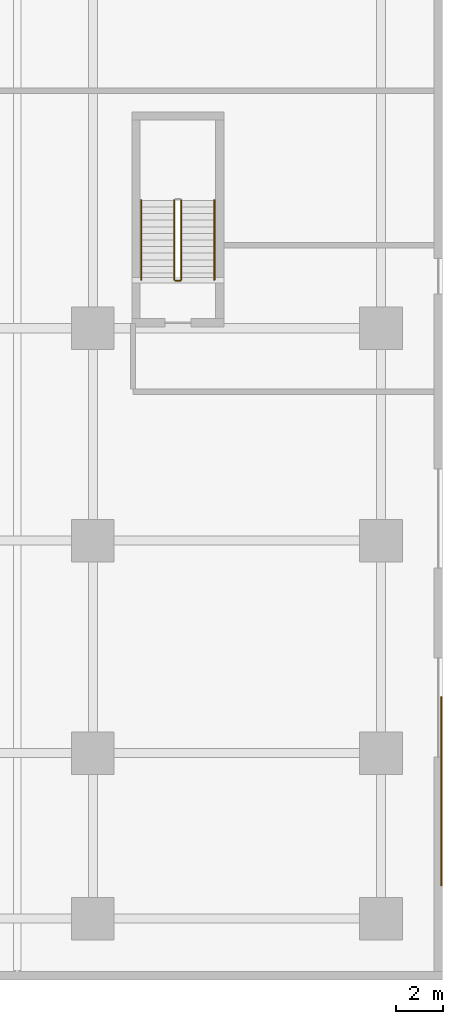
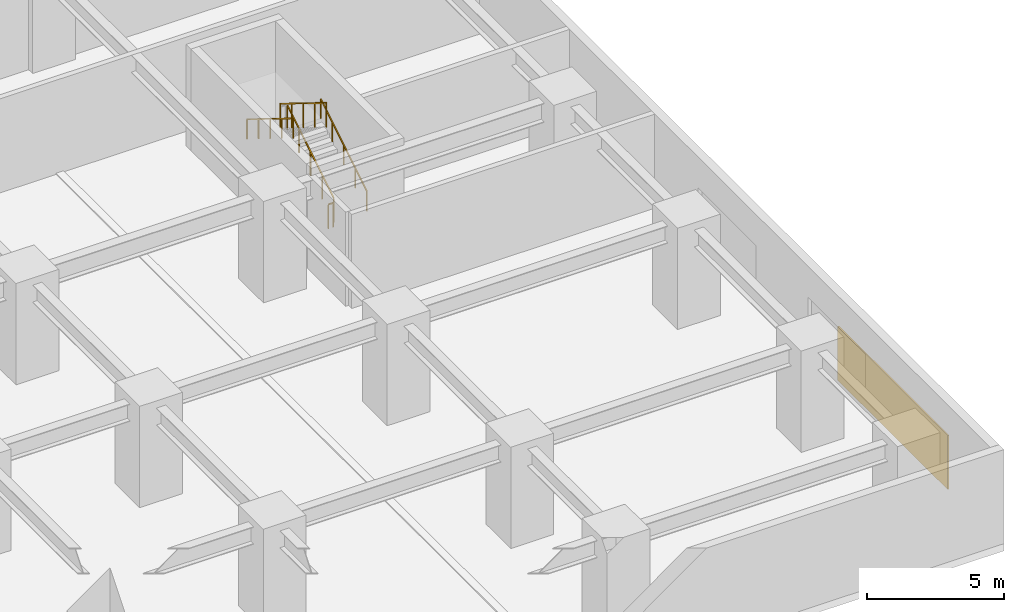
# One storey, part 23 of 26: 5 railings, 1 covering.
"""IFC4 building model written with IfcOpenShell, lengths in metres."""

from ifc_helpers import new_model, si_unit, direction, frame, origin, origin_2d, place, context, subcontext, project, spatial, polyline, rectangle, outline, extrude, material, layer, layer_set, type_object, element, save


model = new_model("IFC4")

# Units and contexts
model_context = context("Model", 3, precision=1e-05, world=origin(), true_north=direction((0.0, 1.0)))
body_context = subcontext(model_context, "Body", "Model", "MODEL_VIEW")
ifc_project = project(units=[si_unit("LENGTHUNIT", "METRE"), si_unit("AREAUNIT", "SQUARE_METRE"), si_unit("VOLUMEUNIT", "CUBIC_METRE"), si_unit("PLANEANGLEUNIT", "RADIAN"), si_unit("MASSUNIT", "GRAM", prefix="KILO")], contexts=[model_context])

# Site, building, storey
site_placement = place(None, origin())
site = spatial("IfcSite", under=ifc_project, at=site_placement, CompositionType="ELEMENT")
building_placement = place(site_placement, origin())
building = spatial("IfcBuilding", under=site, at=building_placement, Name="Kiyonajd Concourse Tower", CompositionType="ELEMENT")
storey_placement = place(building_placement, origin())
storey = spatial("IfcBuildingStorey", under=building, at=storey_placement, Name="L01", CompositionType="ELEMENT", Elevation=0.0)

# Covering
ifc_material_1 = material(Name="Riyadh Jubaila Limestone", Category="masonry")
ifc_layer = layer(ifc_material_1, 0.06005859375)
ifc_layer_set = layer_set([ifc_layer], Name="Riyadh Jubaila Limestone")
covering_type = type_object("IfcCoveringType", Name="CV-CLD-STONE", PredefinedType="CLADDING", material=ifc_layer_set)
covering_placement = place(storey_placement, origin())
element("IfcCovering", 1, at=covering_placement, inside=storey, type_object=covering_type, Name="L01 Riyadh Jubaila Limestone Pier Cladding 2", PredefinedType="CLADDING", context=body_context, shape_type="SweptSolid", body=[
    extrude(outline(polyline([(95.93994140625, 4.0), (96.0, 4.0), (96.0, 12.0), (95.93994140625, 12.0), (95.93994140625, 4.0)])), origin(), (0.0, 0.0, 1.0), 2.39990234375),
])

# Railings
ifc_material_2 = material(Name="Steel ASTM A500 Grade C", Category="steel")
railing_type_1 = type_object("IfcRailingType", Name="RL-GRD-STR", PredefinedType="GUARDRAIL", material=ifc_material_2)
railing_1_placement = place(storey_placement, frame((84.949951171875, 29.64990234375, 0.173095703125)))
element("IfcRailing", 2, at=railing_1_placement, inside=storey, type_object=railing_type_1, Name="L01 ST5 stair guard 1", PredefinedType="GUARDRAIL", context=body_context, shape_type="SweptSolid", body=[
    extrude(rectangle(XDim=0.048095703125, YDim=0.048095703125, at=origin_2d()), frame((0.0, 0.0, 1.076171875), z_axis=(0.0, 0.850623216509, 0.525775754039), x_axis=(-1.0, 0.0, 0.0)), (0.0, 0.0, 1.0), 3.9501953125),
    extrude(rectangle(XDim=0.0419921875, YDim=0.0419921875, at=origin_2d()), origin(), (0.0, 0.0, 1.0), 1.052001953125),
    extrude(rectangle(XDim=0.0419921875, YDim=0.0419921875, at=origin_2d()), frame((0.0, 0.840087890625, 0.519287109375)), (0.0, 0.0, 1.0), 1.052001953125),
    extrude(rectangle(XDim=0.0419921875, YDim=0.0419921875, at=origin_2d()), frame((0.0, 1.68017578125, 1.03857421875)), (0.0, 0.0, 1.0), 1.052001953125),
    extrude(rectangle(XDim=0.0419921875, YDim=0.0419921875, at=origin_2d()), frame((0.0, 2.52001953125, 1.5576171875)), (0.0, 0.0, 1.0), 1.052001953125),
    extrude(rectangle(XDim=0.0419921875, YDim=0.0419921875, at=origin_2d()), frame((0.0, 3.360107421875, 2.076904296875)), (0.0, 0.0, 1.0), 1.052001953125),
])
railing_2_placement = place(storey_placement, frame((84.64990234375, 33.010009765625, 2.423095703125)))
element("IfcRailing", 3, at=railing_2_placement, inside=storey, type_object=railing_type_1, Name="L01 ST5 stair guard 3", PredefinedType="GUARDRAIL", context=body_context, shape_type="SweptSolid", body=[
    extrude(rectangle(XDim=0.048095703125, YDim=0.048095703125, at=origin_2d()), frame((0.0, 0.0, 1.076171875), z_axis=(0.0, -0.850623216509, 0.525775754039), x_axis=(1.0, 0.0, 0.0)), (0.0, 0.0, 1.0), 3.9501953125),
    extrude(rectangle(XDim=0.0419921875, YDim=0.0419921875, at=origin_2d()), origin(), (0.0, 0.0, 1.0), 1.052001953125),
    extrude(rectangle(XDim=0.0419921875, YDim=0.0419921875, at=origin_2d()), frame((0.0, -0.840087890625, 0.519287109375)), (0.0, 0.0, 1.0), 1.052001953125),
    extrude(rectangle(XDim=0.0419921875, YDim=0.0419921875, at=origin_2d()), frame((0.0, -1.68017578125, 1.03857421875)), (0.0, 0.0, 1.0), 1.052001953125),
    extrude(rectangle(XDim=0.0419921875, YDim=0.0419921875, at=origin_2d()), frame((0.0, -2.52001953125, 1.5576171875)), (0.0, 0.0, 1.0), 1.052001953125),
    extrude(rectangle(XDim=0.0419921875, YDim=0.0419921875, at=origin_2d()), frame((0.0, -3.360107421875, 2.076904296875)), (0.0, 0.0, 1.0), 1.052001953125),
])
railing_3_placement = place(storey_placement, frame((84.89990234375, 29.60009765625, 0.0)))
element("IfcRailing", 4, at=railing_3_placement, inside=storey, type_object=railing_type_1, Name="L01 ST5 stair guard 4", PredefinedType="GUARDRAIL", context=body_context, shape_type="SweptSolid", body=[
    extrude(rectangle(XDim=0.048095703125, YDim=0.048095703125, at=origin_2d()), frame((0.0, 0.0, 1.076171875), z_axis=(-1.0, 0.0, 0.0), x_axis=(0.0, -1.0, 0.0)), (0.0, 0.0, 1.0), 0.199951171875),
    extrude(rectangle(XDim=0.0419921875, YDim=0.0419921875, at=origin_2d()), origin(), (0.0, 0.0, 1.0), 1.052001953125),
    extrude(rectangle(XDim=0.0419921875, YDim=0.0419921875, at=origin_2d()), frame((-0.199951171875, 0.0, 0.0)), (0.0, 0.0, 1.0), 1.052001953125),
])
ifc_material_3 = material(Name="Brushed Stainless Steel Cab Assembly", Category="steel")
railing_type_2 = type_object("IfcRailingType", Name="RL-HND-900", PredefinedType="HANDRAIL", material=ifc_material_3)
railing_4_placement = place(storey_placement, frame((86.35009765625, 29.64990234375, 0.173095703125)))
element("IfcRailing", 5, at=railing_4_placement, inside=storey, type_object=railing_type_2, Name="L01 ST5 stair handrail 1", PredefinedType="HANDRAIL", context=body_context, shape_type="SweptSolid", body=[
    extrude(rectangle(XDim=0.048095703125, YDim=0.048095703125, at=origin_2d()), frame((0.0, 0.0, 0.8759765625), z_axis=(0.0, 0.850623216509, 0.525775754039), x_axis=(-1.0, 0.0, 0.0)), (0.0, 0.0, 1.0), 3.9501953125),
    extrude(rectangle(XDim=0.0419921875, YDim=0.0419921875, at=origin_2d()), origin(), (0.0, 0.0, 1.0), 0.851806640625),
    extrude(rectangle(XDim=0.0419921875, YDim=0.0419921875, at=origin_2d()), frame((0.0, 0.840087890625, 0.519287109375)), (0.0, 0.0, 1.0), 0.851806640625),
    extrude(rectangle(XDim=0.0419921875, YDim=0.0419921875, at=origin_2d()), frame((0.0, 1.68017578125, 1.03857421875)), (0.0, 0.0, 1.0), 0.851806640625),
    extrude(rectangle(XDim=0.0419921875, YDim=0.0419921875, at=origin_2d()), frame((0.0, 2.52001953125, 1.5576171875)), (0.0, 0.0, 1.0), 0.851806640625),
    extrude(rectangle(XDim=0.0419921875, YDim=0.0419921875, at=origin_2d()), frame((0.0, 3.360107421875, 2.076904296875)), (0.0, 0.0, 1.0), 0.851806640625),
])
railing_5_placement = place(storey_placement, frame((83.25, 33.010009765625, 2.423095703125)))
element("IfcRailing", 6, at=railing_5_placement, inside=storey, type_object=railing_type_2, Name="L01 ST5 stair handrail 2", PredefinedType="HANDRAIL", context=body_context, shape_type="SweptSolid", body=[
    extrude(rectangle(XDim=0.048095703125, YDim=0.048095703125, at=origin_2d()), frame((0.0, 0.0, 0.8759765625), z_axis=(0.0, -0.850623216509, 0.525775754039), x_axis=(1.0, 0.0, 0.0)), (0.0, 0.0, 1.0), 3.9501953125),
    extrude(rectangle(XDim=0.0419921875, YDim=0.0419921875, at=origin_2d()), origin(), (0.0, 0.0, 1.0), 0.851806640625),
    extrude(rectangle(XDim=0.0419921875, YDim=0.0419921875, at=origin_2d()), frame((0.0, -0.840087890625, 0.519287109375)), (0.0, 0.0, 1.0), 0.851806640625),
    extrude(rectangle(XDim=0.0419921875, YDim=0.0419921875, at=origin_2d()), frame((0.0, -1.68017578125, 1.03857421875)), (0.0, 0.0, 1.0), 0.851806640625),
    extrude(rectangle(XDim=0.0419921875, YDim=0.0419921875, at=origin_2d()), frame((0.0, -2.52001953125, 1.5576171875)), (0.0, 0.0, 1.0), 0.851806640625),
    extrude(rectangle(XDim=0.0419921875, YDim=0.0419921875, at=origin_2d()), frame((0.0, -3.360107421875, 2.076904296875)), (0.0, 0.0, 1.0), 0.851806640625),
])

save(model, "model.ifc")
